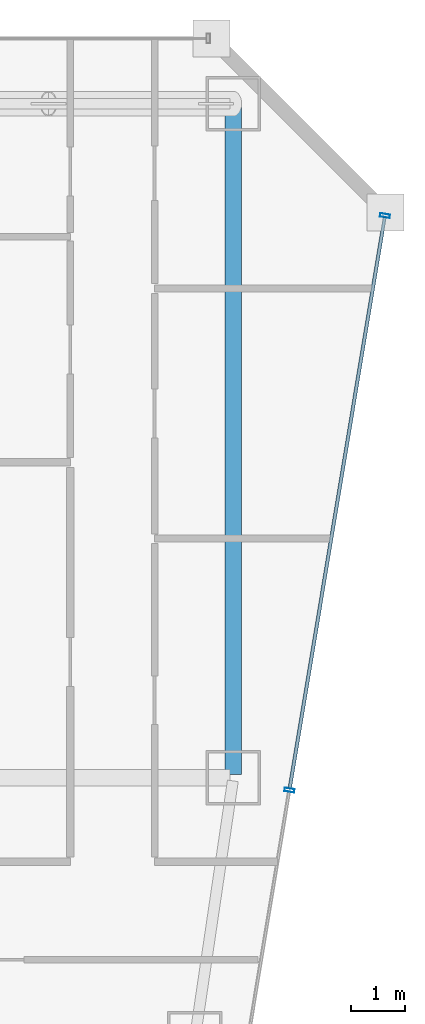
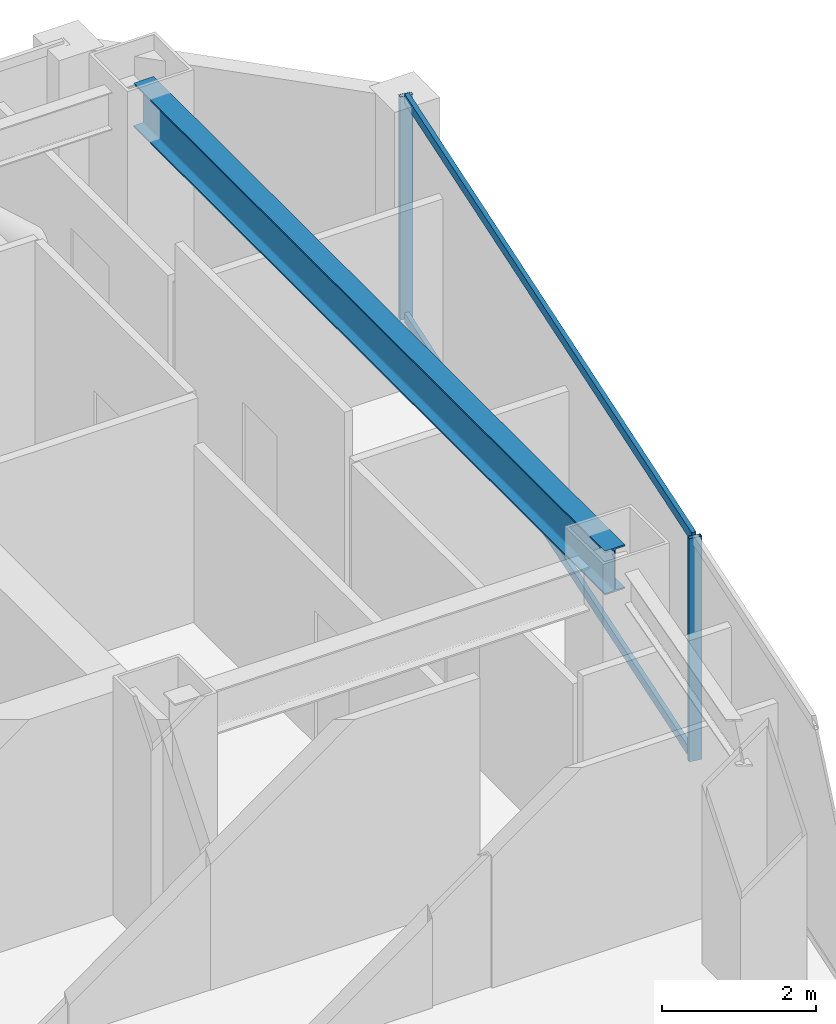
# One storey, part 26 of 37: 4 members, 1 beam, 1 element without a shape of its own.
"""IFC4 building model written with IfcOpenShell, lengths in metres."""

from ifc_helpers import new_model, si_unit, direction, frame, origin, origin_2d, place, context, subcontext, project, spatial, hollow_rectangle, i_section, extrude, material, material_profile, profile_set, type_object, element, aggregate, save


model = new_model("IFC4")

# Units and contexts
model_context = context("Model", 3, precision=1e-05, world=origin(), true_north=direction((0.0, 1.0)))
body_context = subcontext(model_context, "Body", "Model", "MODEL_VIEW")
ifc_project = project(units=[si_unit("LENGTHUNIT", "METRE"), si_unit("AREAUNIT", "SQUARE_METRE"), si_unit("VOLUMEUNIT", "CUBIC_METRE"), si_unit("PLANEANGLEUNIT", "RADIAN"), si_unit("MASSUNIT", "GRAM", prefix="KILO")], contexts=[model_context])

# Site, building, storey
site_placement = place(None, origin())
site = spatial("IfcSite", under=ifc_project, at=site_placement, CompositionType="ELEMENT")
building_placement = place(site_placement, origin())
building = spatial("IfcBuilding", under=site, at=building_placement, Name="Saevonmaru Cultural Tower", CompositionType="ELEMENT")
storey_placement = place(building_placement, frame((0.0, 0.0, 160.0)))
storey = spatial("IfcBuildingStorey", under=building, at=storey_placement, Name="L35", CompositionType="ELEMENT", Elevation=160.0)

# Beam
ifc_material_1 = material(Name="Steel SM355", Category="steel")
ifc_material_profile_1 = material_profile(ifc_material_1, i_section(OverallWidth=0.300048828125, OverallDepth=0.699951171875, WebThickness=0.012939453125, FlangeThickness=0.02392578125, FilletRadius=0.02587890625, at=origin_2d()), Name="H-700x300x13x24")
ifc_profile_set_1 = profile_set([ifc_material_profile_1], Name="Steel SM355")
beam_type = type_object("IfcBeamType", Name="BM-G-H700", PredefinedType="BEAM", material=ifc_profile_set_1)
beam_placement = place(storey_placement, frame((53.199951171875, 54.739990234375, 3.199951171875), z_axis=(0.0, -1.0, 0.0), x_axis=(1.0, 0.0, 0.0)))
element("IfcBeam", 1, at=beam_placement, inside=storey, type_object=beam_type, Name="L35 Spine Transverse Girder E", PredefinedType="BEAM", context=body_context, shape_type="SweptSolid", body=[
    extrude(i_section(OverallWidth=0.300048828125, OverallDepth=0.699951171875, WebThickness=0.012939453125, FlangeThickness=0.02392578125, FilletRadius=0.02587890625, at=origin_2d()), origin(), (0.0, 0.0, 1.0), 12.280029296875),
])

# Curtain wall, members
ifc_material_2 = material(Name="Satin Bronze Anodised Aluminium", Category="aluminium")
curtain_wall_type = type_object("IfcCurtainWallType", Name="CW-TYP-A", PredefinedType="NOTDEFINED", material=ifc_material_2)
curtain_wall_placement = place(storey_placement, origin())
curtain_wall = element("IfcCurtainWall", 2, at=curtain_wall_placement, inside=storey, type_object=curtain_wall_type, Name="L35 Unitised Curtain Wall E8", PredefinedType="NOTDEFINED")
ifc_material_profile_2 = material_profile(ifc_material_2, hollow_rectangle(XDim=0.06494140625, YDim=0.179931640625, WallThickness=0.00390625, at=origin_2d()), Name="ALU-MULL-180x65x4")
ifc_profile_set_2 = profile_set([ifc_material_profile_2], Name="Satin Bronze Anodised Aluminium")
member_type_1 = type_object("IfcMemberType", Name="ML-CW-180x65", PredefinedType="MULLION", material=ifc_profile_set_2)
member_1_placement = place(storey_placement, frame((54.23291015625, 42.17041015625, 0.0), z_axis=(0.0, 0.0, 1.0), x_axis=(0.163998702345, 0.986460554523, 0.0)))
member_1 = element("IfcMember", 3, at=member_1_placement, type_object=member_type_1, Name="CW-TW-L35-E8 mullion 4", PredefinedType="MULLION", context=body_context, shape_type="SweptSolid", body=[
    extrude(hollow_rectangle(XDim=0.06494140625, YDim=0.179931640625, WallThickness=0.00390625, at=origin_2d()), origin(), (0.0, 0.0, 1.0), 3.550048828125),
])
member_2_placement = place(storey_placement, frame((55.990234375, 52.74072265625, 0.0), z_axis=(0.0, 0.0, 1.0), x_axis=(0.163998702345, 0.986460554523, 0.0)))
member_2 = element("IfcMember", 4, at=member_2_placement, type_object=member_type_1, Name="CW-TW-L35-E8 mullion 5", PredefinedType="MULLION", context=body_context, shape_type="SweptSolid", body=[
    extrude(hollow_rectangle(XDim=0.06494140625, YDim=0.179931640625, WallThickness=0.00390625, at=origin_2d()), origin(), (0.0, 0.0, 1.0), 3.550048828125),
])
ifc_material_profile_3 = material_profile(ifc_material_2, hollow_rectangle(XDim=0.06494140625, YDim=0.14990234375, WallThickness=0.00390625, at=origin_2d()), Name="ALU-TRAN-150x65x4")
ifc_profile_set_3 = profile_set([ifc_material_profile_3], Name="Satin Bronze Anodised Aluminium")
member_type_2 = type_object("IfcMemberType", Name="TR-CW-150x65", PredefinedType="USERDEFINED", material=ifc_profile_set_3)
member_3_placement = place(storey_placement, frame((54.23828125, 42.202392578125, 0.032470703125), z_axis=(0.163990079074, 0.9864619881, 0.0), x_axis=(-0.9864619881, 0.163990079074, 0.0)))
member_3 = element("IfcMember", 5, at=member_3_placement, type_object=member_type_2, Name="CW-TW-L35-E8 transom 4.1", ObjectType="TRANSOM", PredefinedType="USERDEFINED", context=body_context, shape_type="SweptSolid", body=[
    extrude(hollow_rectangle(XDim=0.06494140625, YDim=0.14990234375, WallThickness=0.00390625, at=origin_2d()), origin(), (0.0, 0.0, 1.0), 10.650634765625),
])
member_4_placement = place(storey_placement, frame((54.23828125, 42.202392578125, 3.517578125), z_axis=(0.163990079074, 0.9864619881, 0.0), x_axis=(-0.9864619881, 0.163990079074, 0.0)))
member_4 = element("IfcMember", 6, at=member_4_placement, type_object=member_type_2, Name="CW-TW-L35-E8 transom 4.2", ObjectType="TRANSOM", PredefinedType="USERDEFINED", context=body_context, shape_type="SweptSolid", body=[
    extrude(hollow_rectangle(XDim=0.06494140625, YDim=0.14990234375, WallThickness=0.00390625, at=origin_2d()), origin(), (0.0, 0.0, 1.0), 10.650634765625),
])
aggregate(curtain_wall, [member_1, member_2, member_3, member_4])

save(model, "model.ifc")
